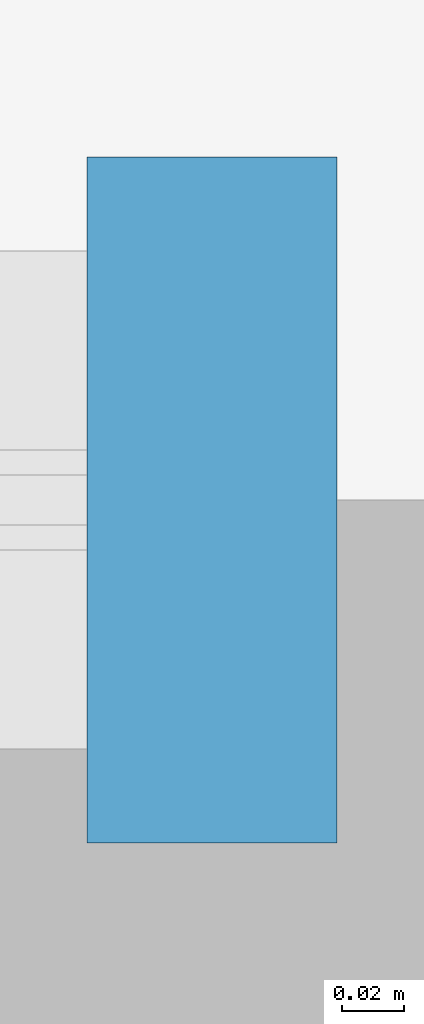
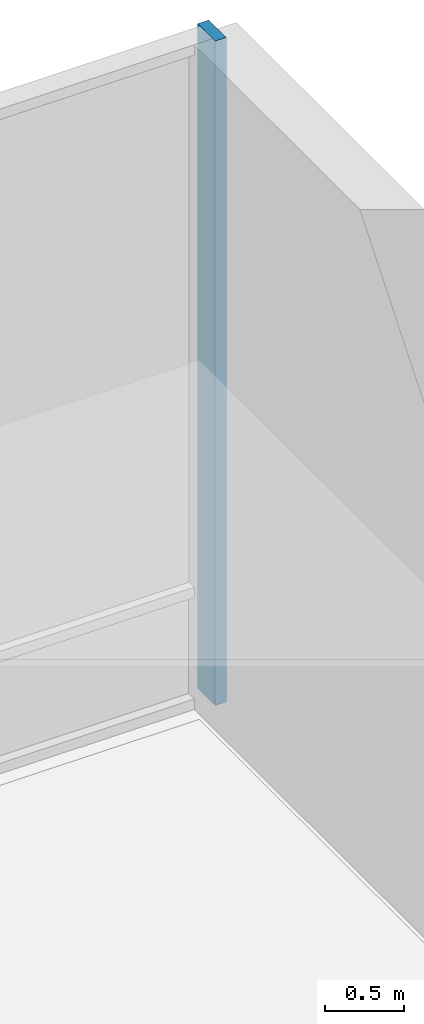
# One storey, part 9 of 19: 1 member, 1 element without a shape of its own.
"""IFC4 building model written with IfcOpenShell, lengths in metres."""

from ifc_helpers import new_model, si_unit, direction, frame, origin, origin_2d, place, context, subcontext, project, spatial, rectangle, extrude, material, layer, layer_set, type_object, element, aggregate, save


model = new_model("IFC4")

# Units and contexts
model_context = context("Model", 3, precision=1e-05, world=origin(), true_north=direction((0.0, 1.0)))
body_context = subcontext(model_context, "Body", "Model", "MODEL_VIEW")
ifc_project = project(units=[si_unit("LENGTHUNIT", "METRE"), si_unit("AREAUNIT", "SQUARE_METRE"), si_unit("VOLUMEUNIT", "CUBIC_METRE"), si_unit("PLANEANGLEUNIT", "RADIAN"), si_unit("MASSUNIT", "GRAM", prefix="KILO")], contexts=[model_context])

# Site, building, storey
site_placement = place(None, origin())
site = spatial("IfcSite", under=ifc_project, at=site_placement, CompositionType="ELEMENT")
building_placement = place(site_placement, origin())
building = spatial("IfcBuilding", under=site, at=building_placement, Name="Tharavind Bronze Gate", CompositionType="ELEMENT")
storey_placement = place(building_placement, frame((0.0, 0.0, 26.5)))
storey = spatial("IfcBuildingStorey", under=building, at=storey_placement, Name="L05", CompositionType="ELEMENT", Elevation=26.5)

# Curtain wall, member
ifc_material = material(Name="Anodised Bronze Aluminium", Category="aluminium")
ifc_layer = layer(ifc_material, 0.219970703125)
ifc_layer_set = layer_set([ifc_layer], Name="Anodised Bronze Aluminium")
curtain_wall_type = type_object("IfcCurtainWallType", Name="UNITISED CURTAIN WALL PODIUM", PredefinedType="USERDEFINED", material=ifc_layer_set)
curtain_wall_placement = place(storey_placement, origin())
curtain_wall = element("IfcCurtainWall", 1, at=curtain_wall_placement, inside=storey, type_object=curtain_wall_type, Name="L05 unitised curtain wall podium CW-L05-S2", ObjectType="UNITISED CURTAIN WALL", PredefinedType="USERDEFINED")
member_type = type_object("IfcMemberType", Name="CURTAIN WALL MULLION 80X220", PredefinedType="MULLION", material=ifc_material)
member_placement = place(storey_placement, frame((33.820068359375, 26.6201171875, 0.0), z_axis=(0.0, 0.0, 1.0), x_axis=(-1.0, 0.0, 0.0)))
member = element("IfcMember", 2, at=member_placement, type_object=member_type, Name="CW-L05-S2 mullion 1", PredefinedType="MULLION", context=body_context, shape_type="SweptSolid", body=[
    extrude(rectangle(XDim=0.080078125, YDim=0.219970703125, at=origin_2d()), origin(), (0.0, 0.0, 1.0), 5.10498046875),
])
aggregate(curtain_wall, [member])

save(model, "model.ifc")
